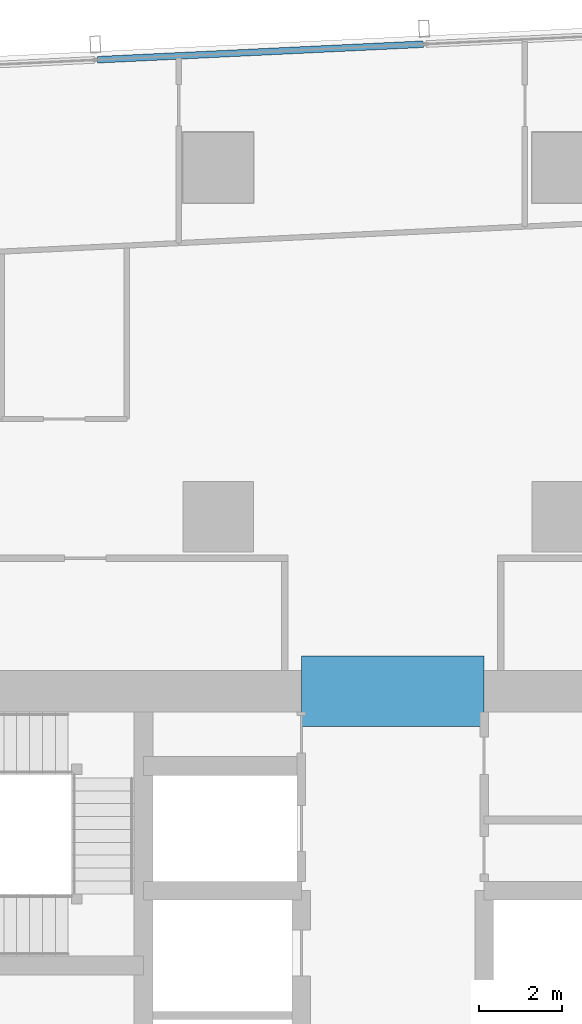
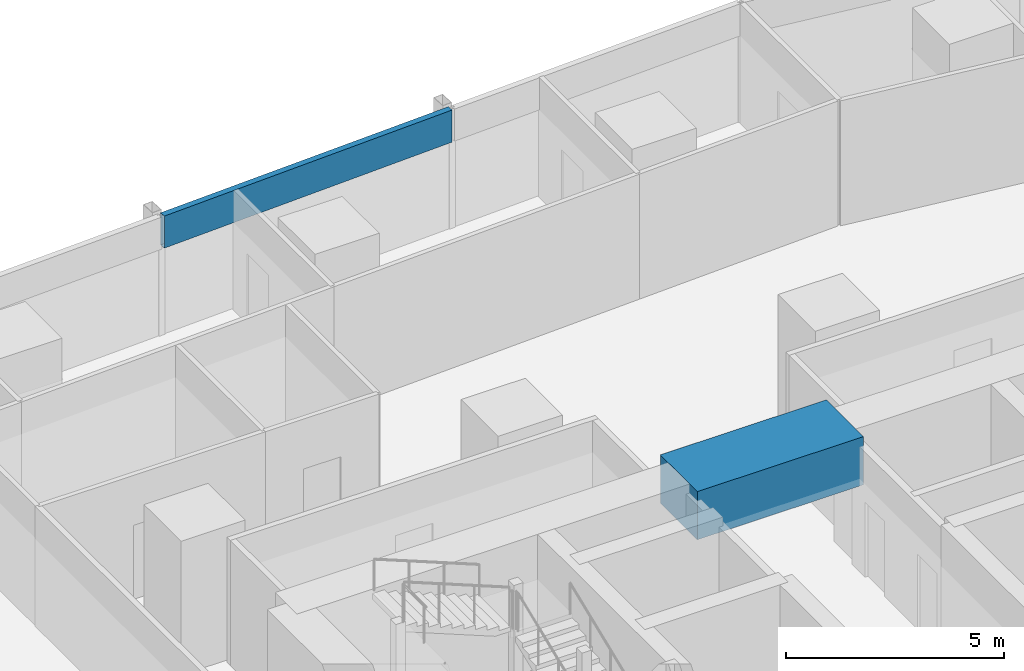
# One storey, part 20 of 39: 1 beam, 1 member, 1 element without a shape of its own.
"""IFC4 building model written with IfcOpenShell, lengths in metres."""

from ifc_helpers import new_model, si_unit, direction, frame, origin, origin_2d, place, context, subcontext, project, spatial, rectangle, hollow_rectangle, extrude, material, material_profile, profile_set, type_object, element, aggregate, save


model = new_model("IFC4")

# Units and contexts
model_context = context("Model", 3, precision=1e-05, world=origin(), true_north=direction((0.0, 1.0)))
body_context = subcontext(model_context, "Body", "Model", "MODEL_VIEW")
ifc_project = project(units=[si_unit("LENGTHUNIT", "METRE"), si_unit("AREAUNIT", "SQUARE_METRE"), si_unit("VOLUMEUNIT", "CUBIC_METRE"), si_unit("PLANEANGLEUNIT", "RADIAN"), si_unit("MASSUNIT", "GRAM", prefix="KILO")], contexts=[model_context])

# Site, building, storey
site_placement = place(None, origin())
site = spatial("IfcSite", under=ifc_project, at=site_placement, CompositionType="ELEMENT")
building_placement = place(site_placement, origin())
building = spatial("IfcBuilding", under=site, at=building_placement, Name="Rekha Terrace Tower", CompositionType="ELEMENT")
storey_placement = place(building_placement, frame((0.0, 0.0, 180.199951171875)))
storey = spatial("IfcBuildingStorey", under=building, at=storey_placement, Name="L45", CompositionType="ELEMENT", Elevation=180.199951171875)

# Curtain wall, member
ifc_material_1 = material(Name="Aluminium framing", Category="aluminium")
curtain_wall_type = type_object("IfcCurtainWallType", Name="CW3 north unitised glazing", PredefinedType="USERDEFINED", material=ifc_material_1)
curtain_wall_placement = place(storey_placement, origin())
curtain_wall = element("IfcCurtainWall", 1, at=curtain_wall_placement, inside=storey, type_object=curtain_wall_type, Name="CW3 unitised curtain wall", ObjectType="UNITISED CURTAIN WALL", PredefinedType="USERDEFINED")
ifc_material_2 = material(Name="Insulated aluminium spandrel box", Category="aluminium")
ifc_material_profile_1 = material_profile(ifc_material_2, hollow_rectangle(XDim=0.159912109375, YDim=0.89990234375, WallThickness=0.0029296875, at=origin_2d()), Name="AL SPANDREL BOX 160x900")
ifc_profile_set_1 = profile_set([ifc_material_profile_1], Name="Insulated aluminium spandrel box")
member_type = type_object("IfcMemberType", Name="CW3 spandrel transom 160 x 900", PredefinedType="USERDEFINED", material=ifc_profile_set_1)
member_placement = place(storey_placement, frame((38.53515625, 61.76953125, 3.050048828125), z_axis=(-0.998859252362, -0.047751376635, 0.0), x_axis=(0.047751376635, -0.998859252362, 0.0)))
member = element("IfcMember", 2, at=member_placement, type_object=member_type, Name="CW3 spandrel transom 2", ObjectType="TRANSOM", PredefinedType="USERDEFINED", context=body_context, shape_type="SweptSolid", body=[
    extrude(hollow_rectangle(XDim=0.159912109375, YDim=0.89990234375, WallThickness=0.0029296875, at=origin_2d()), origin(), (0.0, 0.0, 1.0), 7.84814453125),
])
aggregate(curtain_wall, [member])

# Beam
ifc_material_3 = material(Name="Concrete M60", Category="concrete")
ifc_material_profile_2 = material_profile(ifc_material_3, rectangle(XDim=1.699951171875, YDim=1.35009765625, at=origin_2d()), Name="RC 1700x1350")
ifc_profile_set_2 = profile_set([ifc_material_profile_2], Name="Concrete M60")
beam_type = type_object("IfcBeamType", Name="LB3A 1700x1350 diagonally reinforced coupling beam", PredefinedType="LINTEL", material=ifc_profile_set_2)
beam_placement = place(storey_placement, frame((35.60009765625, 46.199951171875, 3.074951171875), z_axis=(1.0, 0.0, 0.0), x_axis=(0.0, 1.0, 0.0)))
element("IfcBeam", 3, at=beam_placement, inside=storey, type_object=beam_type, Name="Coupling beam LB3A N L45", PredefinedType="LINTEL", context=body_context, shape_type="SweptSolid", body=[
    extrude(rectangle(XDim=1.699951171875, YDim=1.35009765625, at=origin_2d()), origin(), (0.0, 0.0, 1.0), 4.39990234375),
])

save(model, "model.ifc")
